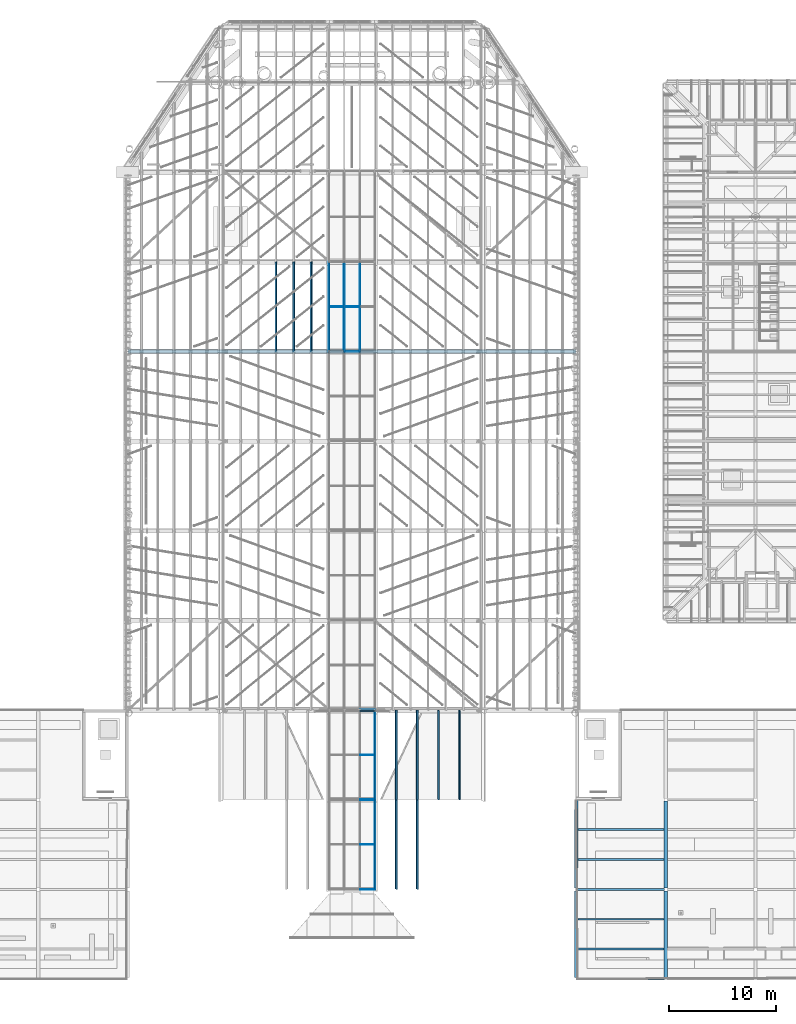
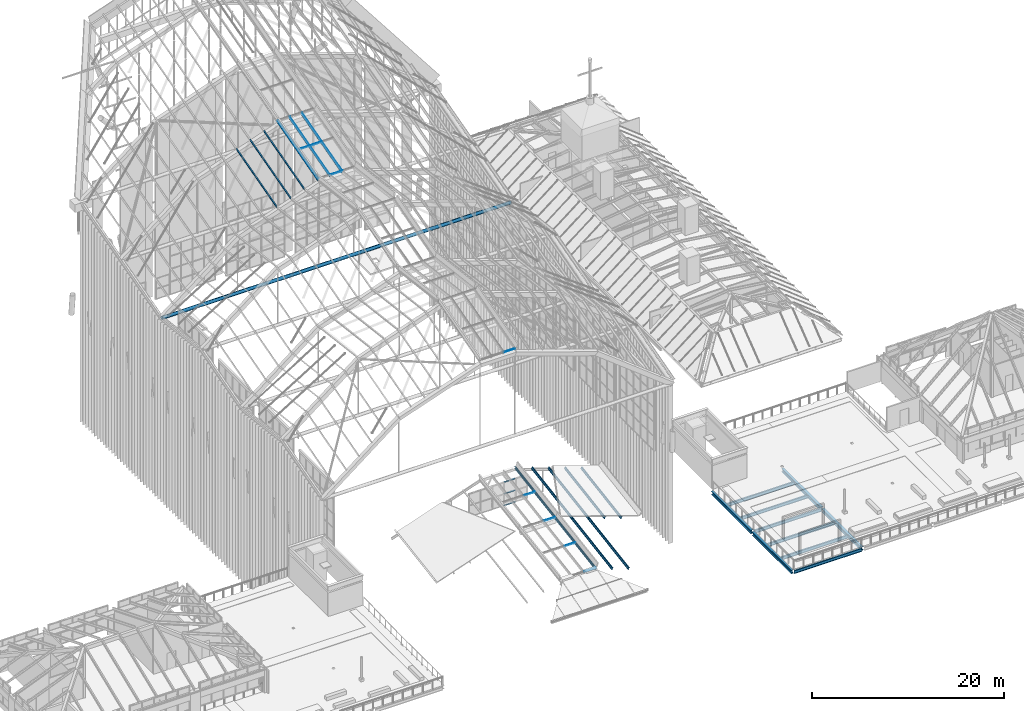
# One storey, part 30 of 126: 31 members, 10 beams, 1 element without a shape of its own.
"""IFC4 building model written with IfcOpenShell, lengths in metres."""

from ifc_helpers import new_model, si_unit, direction, frame, origin, origin_2d, place, context, subcontext, project, spatial, rectangle, hollow_circle, i_section, extrude, material, material_profile, profile_set, type_object, element, aggregate, save


model = new_model("IFC4")

# Units and contexts
model_context = context("Model", 3, precision=1e-05, world=origin(), true_north=direction((0.0, 1.0)))
body_context = subcontext(model_context, "Body", "Model", "MODEL_VIEW")
ifc_project = project(units=[si_unit("LENGTHUNIT", "METRE"), si_unit("AREAUNIT", "SQUARE_METRE"), si_unit("VOLUMEUNIT", "CUBIC_METRE"), si_unit("PLANEANGLEUNIT", "RADIAN"), si_unit("MASSUNIT", "GRAM", prefix="KILO")], contexts=[model_context])

# Site, building, storey
site_placement = place(None, origin())
site = spatial("IfcSite", under=ifc_project, at=site_placement, CompositionType="ELEMENT")
building_placement = place(site_placement, origin())
building = spatial("IfcBuilding", under=site, at=building_placement, Name="Sava Quay Ferry Terminal", CompositionType="ELEMENT")
storey_placement = place(building_placement, frame((0.0, 0.0, 15.0)))
storey = spatial("IfcBuildingStorey", under=building, at=storey_placement, Name="L03", CompositionType="ELEMENT", Elevation=15.0)

# Beams
ifc_material_1 = material(Name="Steel S355", Category="steel")
ifc_material_profile_1 = material_profile(ifc_material_1, i_section(OverallWidth=0.179931640625, OverallDepth=0.39990234375, WebThickness=0.008544921875, FlangeThickness=0.013427734375, at=origin_2d()), Name="IPE 400")
ifc_profile_set_1 = profile_set([ifc_material_profile_1], Name="Steel S355")
beam_type_1 = type_object("IfcBeamType", Name="Beam IPE 400", PredefinedType="BEAM", material=ifc_profile_set_1)
for number, where, z_axis, x_axis, name in (
    (1, (84.1298828125, 25.199951171875, -0.35009765625), (1.0, 0.0, 0.0), (0.0, 1.0, 0.0), "Beam L03"),
    (2, (84.1298828125, 33.60009765625, -0.35009765625), (1.0, 0.0, 0.0), (0.0, 1.0, 0.0), "Beam L03"),
):
    element("IfcBeam", number, at=place(storey_placement, frame(where, z_axis=z_axis, x_axis=x_axis)), inside=storey, type_object=beam_type_1, Name=name, PredefinedType="BEAM", context=body_context, shape_type="SweptSolid", body=[
        extrude(i_section(OverallWidth=0.179931640625, OverallDepth=0.39990234375, WebThickness=0.008544921875, FlangeThickness=0.013427734375, at=origin_2d()), origin(), (0.0, 0.0, 1.0), 8.14013671875),
    ])
for number, where, z_axis, x_axis, name in (
    (3, (84.14990234375, 28.0, -0.35009765625), (1.0, 0.0, 0.0), (0.0, 1.0, 0.0), "Secondary beam L03"),
    (4, (84.14990234375, 30.800048828125, -0.35009765625), (1.0, 0.0, 0.0), (0.0, 1.0, 0.0), "Secondary beam L03"),
    (5, (84.14990234375, 36.39990234375, -0.35009765625), (1.0, 0.0, 0.0), (0.0, 1.0, 0.0), "Secondary beam L03"),
    (6, (84.14990234375, 39.199951171875, -0.35009765625), (1.0, 0.0, 0.0), (0.0, 1.0, 0.0), "Secondary beam L03"),
):
    element("IfcBeam", number, at=place(storey_placement, frame(where, z_axis=z_axis, x_axis=x_axis)), inside=storey, type_object=beam_type_1, Name=name, PredefinedType="BEAM", context=body_context, shape_type="SweptSolid", body=[
        extrude(i_section(OverallWidth=0.179931640625, OverallDepth=0.39990234375, WebThickness=0.008544921875, FlangeThickness=0.013427734375, at=origin_2d()), origin(), (0.0, 0.0, 1.0), 8.10009765625),
    ])

# Member
ifc_material_2 = material(Name="Steel S355", Category="steel")
ifc_material_profile_2 = material_profile(ifc_material_2, hollow_circle(Radius=0.203125, WallThickness=0.01611328125, at=origin_2d()), Name="CHS 406.4 x 16.0")
ifc_profile_set_2 = profile_set([ifc_material_profile_2], Name="Steel S355")
member_type_1 = type_object("IfcMemberType", Name="D arch tie CHS 406.4x16", PredefinedType="USERDEFINED", material=ifc_profile_set_2)
member_1_placement = place(storey_placement, frame((42.0, 84.0, 11.029052734375), z_axis=(1.0, 0.0, 0.0), x_axis=(0.0, 1.0, 0.0)))
element("IfcMember", 7, at=member_1_placement, inside=storey, type_object=member_type_1, Name="Departure hall arch tie R4", ObjectType="ARCH TIE", PredefinedType="USERDEFINED", context=body_context, shape_type="SweptSolid", body=[
    extrude(hollow_circle(Radius=0.203125, WallThickness=0.01611328125, at=origin_2d()), origin(), (0.0, 0.0, 1.0), 42.0),
])

# Beams
ifc_material_3 = material(Name="Steel S355", Category="steel")
ifc_material_profile_3 = material_profile(ifc_material_3, i_section(OverallWidth=0.300048828125, OverallDepth=0.449951171875, WebThickness=0.013916015625, FlangeThickness=0.02587890625, at=origin_2d()), Name="HE 450 B")
ifc_profile_set_3 = profile_set([ifc_material_profile_3], Name="Steel S355")
beam_type_2 = type_object("IfcBeamType", Name="Girder HE 450 B", PredefinedType="BEAM", material=ifc_profile_set_3)
beam_1_placement = place(storey_placement, frame((84.0, 25.330078125, -0.375), z_axis=(0.0, 1.0, 0.0), x_axis=(-1.0, 0.0, 0.0)))
element("IfcBeam", 8, at=beam_1_placement, inside=storey, type_object=beam_type_2, Name="Girder L03", PredefinedType="BEAM", context=body_context, shape_type="SweptSolid", body=[
    extrude(i_section(OverallWidth=0.300048828125, OverallDepth=0.449951171875, WebThickness=0.013916015625, FlangeThickness=0.02587890625, at=origin_2d()), origin(), (0.0, 0.0, 1.0), 8.139892578125),
])
beam_2_placement = place(storey_placement, frame((84.0, 33.72998046875, -0.375), z_axis=(0.0, 1.0, 0.0), x_axis=(-1.0, 0.0, 0.0)))
element("IfcBeam", 9, at=beam_2_placement, inside=storey, type_object=beam_type_2, Name="Girder L03", PredefinedType="BEAM", context=body_context, shape_type="SweptSolid", body=[
    extrude(i_section(OverallWidth=0.300048828125, OverallDepth=0.449951171875, WebThickness=0.013916015625, FlangeThickness=0.02587890625, at=origin_2d()), origin(), (0.0, 0.0, 1.0), 8.27001953125),
])
beam_3_placement = place(storey_placement, frame((92.39990234375, 25.330078125, -0.375), z_axis=(0.0, 1.0, 0.0), x_axis=(-1.0, 0.0, 0.0)))
element("IfcBeam", 10, at=beam_3_placement, inside=storey, type_object=beam_type_2, Name="Girder L03", PredefinedType="BEAM", context=body_context, shape_type="SweptSolid", body=[
    extrude(i_section(OverallWidth=0.300048828125, OverallDepth=0.449951171875, WebThickness=0.013916015625, FlangeThickness=0.02587890625, at=origin_2d()), origin(), (0.0, 0.0, 1.0), 8.139892578125),
])
beam_4_placement = place(storey_placement, frame((92.39990234375, 33.72998046875, -0.375), z_axis=(0.0, 1.0, 0.0), x_axis=(-1.0, 0.0, 0.0)))
element("IfcBeam", 11, at=beam_4_placement, inside=storey, type_object=beam_type_2, Name="Girder L03", PredefinedType="BEAM", context=body_context, shape_type="SweptSolid", body=[
    extrude(i_section(OverallWidth=0.300048828125, OverallDepth=0.449951171875, WebThickness=0.013916015625, FlangeThickness=0.02587890625, at=origin_2d()), origin(), (0.0, 0.0, 1.0), 8.14013671875),
])

# Members
ifc_material_4 = material(Name="Aluminium EN AW-6063 T6", Category="aluminium")
ifc_material_profile_4 = material_profile(ifc_material_4, rectangle(XDim=0.06005859375, YDim=0.06005859375, at=origin_2d()), Name="Bar 60 x 60")
ifc_profile_set_4 = profile_set([ifc_material_profile_4], Name="Aluminium EN AW-6063 T6")
member_type_2 = type_object("IfcMemberType", Name="Glazing bar 60x60", PredefinedType="USERDEFINED", material=ifc_profile_set_4)
for number, where, z_axis, x_axis, name in (
    (12, (60.85302734375, 84.0, 22.148193359375), (0.0, 0.964553254836, 0.263888269132), (-1.0, 0.0, 0.0), "Departure hall glazing bar D-B4-GL2.0"),
    (13, (62.267578125, 84.0, 22.148193359375), (0.0, 0.964553254836, 0.263888269132), (-1.0, 0.0, 0.0), "Departure hall glazing bar D-B4-GL2.1"),
    (14, (63.732421875, 84.0, 22.148193359375), (0.0, 0.964553254836, 0.263888269132), (-1.0, 0.0, 0.0), "Departure hall glazing bar D-B4-GL2.2"),
):
    element("IfcMember", number, at=place(storey_placement, frame(where, z_axis=z_axis, x_axis=x_axis)), inside=storey, type_object=member_type_2, Name=name, ObjectType="GLAZING BAR", PredefinedType="USERDEFINED", context=body_context, shape_type="SweptSolid", body=[
        extrude(rectangle(XDim=0.06005859375, YDim=0.06005859375, at=origin_2d()), origin(), (0.0, 0.0, 1.0), 8.70849609375),
    ])
member_2_placement = place(storey_placement, frame((63.76318359375, 50.39990234375, 19.442138671875), z_axis=(1.0, 0.0, 0.0), x_axis=(0.0, 0.962815070048, 0.270161323822)))
element("IfcMember", 15, at=member_2_placement, inside=storey, type_object=member_type_2, Name="Departure hall glazing bar D-R0-GT2.2", ObjectType="GLAZING BAR", PredefinedType="USERDEFINED", context=body_context, shape_type="SweptSolid", body=[
    extrude(rectangle(XDim=0.06005859375, YDim=0.06005859375, at=origin_2d()), origin(), (0.0, 0.0, 1.0), 1.35595703125),
])
member_3_placement = place(storey_placement, frame((62.296630859375, 84.0, 22.1279296875), z_axis=(1.0, 0.0, 0.0), x_axis=(0.0, 0.964556832817, 0.263875190699)))
element("IfcMember", 16, at=member_3_placement, inside=storey, type_object=member_type_2, Name="Departure hall glazing bar D-R4-GT2.1", ObjectType="GLAZING BAR", PredefinedType="USERDEFINED", context=body_context, shape_type="SweptSolid", body=[
    extrude(rectangle(XDim=0.06005859375, YDim=0.06005859375, at=origin_2d()), origin(), (0.0, 0.0, 1.0), 1.40673828125),
])
member_4_placement = place(storey_placement, frame((60.883056640625, 88.199951171875, 23.29736328125), z_axis=(1.0, 0.0, 0.0), x_axis=(0.0, 0.964556832817, 0.263875190699)))
element("IfcMember", 17, at=member_4_placement, inside=storey, type_object=member_type_2, Name="Departure hall glazing bar D-B4M-GT2.0", ObjectType="GLAZING BAR", PredefinedType="USERDEFINED", context=body_context, shape_type="SweptSolid", body=[
    extrude(rectangle(XDim=0.06005859375, YDim=0.06005859375, at=origin_2d()), origin(), (0.0, 0.0, 1.0), 1.3544921875),
])
member_5_placement = place(storey_placement, frame((62.297607421875, 88.199951171875, 23.29736328125), z_axis=(1.0, 0.0, 0.0), x_axis=(0.0, 0.964556832817, 0.263875190699)))
element("IfcMember", 18, at=member_5_placement, inside=storey, type_object=member_type_2, Name="Departure hall glazing bar D-B4M-GT2.1", ObjectType="GLAZING BAR", PredefinedType="USERDEFINED", context=body_context, shape_type="SweptSolid", body=[
    extrude(rectangle(XDim=0.06005859375, YDim=0.06005859375, at=origin_2d()), origin(), (0.0, 0.0, 1.0), 1.40478515625),
])
member_6_placement = place(storey_placement, frame((65.137451171875, 33.60009765625, 1.735595703125), z_axis=(0.0, 0.987346262472, 0.158579185212), x_axis=(-1.0, 0.0, 0.0)))
element("IfcMember", 19, at=member_6_placement, inside=storey, type_object=member_type_2, Name="Arrivals hall glazing bar A-B0-GL2.3", ObjectType="GLAZING BAR", PredefinedType="USERDEFINED", context=body_context, shape_type="SweptSolid", body=[
    extrude(rectangle(XDim=0.06005859375, YDim=0.06005859375, at=origin_2d()), origin(), (0.0, 0.0, 1.0), 8.507568359375),
])
member_7_placement = place(storey_placement, frame((65.137451171875, 42.0, 3.084716796875), z_axis=(0.0, 0.987368718827, 0.158439304094), x_axis=(-1.0, 0.0, 0.0)))
element("IfcMember", 20, at=member_7_placement, inside=storey, type_object=member_type_2, Name="Arrivals hall glazing bar A-B1-GL2.3", ObjectType="GLAZING BAR", PredefinedType="USERDEFINED", context=body_context, shape_type="SweptSolid", body=[
    extrude(rectangle(XDim=0.06005859375, YDim=0.06005859375, at=origin_2d()), origin(), (0.0, 0.0, 1.0), 8.50732421875),
])
for number, where, z_axis, x_axis, name in (
    (21, (63.759033203125, 33.60009765625, 1.735595703125), (1.0, 0.0, 0.0), (0.0, 0.987348779589, 0.158563512333), "Arrivals hall glazing bar A-R0-GT2.2"),
    (22, (63.759033203125, 42.0, 3.084716796875), (1.0, 0.0, 0.0), (0.0, 0.987367175287, 0.158448922895), "Arrivals hall glazing bar A-R1-GT2.2"),
    (23, (63.759033203125, 37.800048828125, 2.41015625), (1.0, 0.0, 0.0), (0.0, 0.987348779589, 0.158563512333), "Arrivals hall glazing bar A-B0M-GT2.2"),
    (24, (63.759033203125, 46.199951171875, 3.7587890625), (1.0, 0.0, 0.0), (0.0, 0.987367175287, 0.158448922895), "Arrivals hall glazing bar A-B1M-GT2.2"),
):
    element("IfcMember", number, at=place(storey_placement, frame(where, z_axis=z_axis, x_axis=x_axis)), inside=storey, type_object=member_type_2, Name=name, ObjectType="GLAZING BAR", PredefinedType="USERDEFINED", context=body_context, shape_type="SweptSolid", body=[
        extrude(rectangle(XDim=0.06005859375, YDim=0.06005859375, at=origin_2d()), origin(), (0.0, 0.0, 1.0), 1.348388671875),
    ])
ifc_material_5 = material(Name="Steel S355", Category="steel")
ifc_material_profile_5 = material_profile(ifc_material_5, i_section(OverallWidth=0.135009765625, OverallDepth=0.27001953125, WebThickness=0.006591796875, FlangeThickness=0.01025390625, at=origin_2d()), Name="IPE 270")
ifc_profile_set_5 = profile_set([ifc_material_profile_5], Name="Steel S355")
member_type_3 = type_object("IfcMemberType", Name="Roof purlin IPE 270", PredefinedType="PURLIN", material=ifc_profile_set_5)
for number, where, z_axis, x_axis, name in (
    (25, (55.87744140625, 84.0, 20.27197265625), (0.0, 0.964553254836, 0.263888269132), (-0.949027169883, 0.0831760716, -0.3040216636), "Departure hall purlin bay 5 M1.3"),
    (26, (57.528076171875, 84.0, 20.84033203125), (0.0, 0.964553254836, 0.263888269132), (-0.949027169883, 0.0831760716, -0.3040216636), "Departure hall purlin bay 5 M1.4"),
    (27, (59.178955078125, 84.0, 21.40869140625), (0.0, 0.964553254836, 0.263888269132), (-0.949027169883, 0.0831760716, -0.3040216636), "Departure hall purlin bay 5 M1.5"),
    (28, (60.82958984375, 84.0, 21.977294921875), (0.0, 0.964560390264, 0.263862186629), (-0.987174546341, 0.042124187079, -0.153986908271), "Departure hall purlin bay 5 V2"),
    (29, (62.276611328125, 84.0, 21.977294921875), (0.0, 0.964560390264, 0.263862186629), (-1.0, 0.0, 0.0), "Departure hall purlin bay 5 M2.1"),
    (30, (63.723388671875, 84.0, 21.977294921875), (0.0, 0.964560390264, 0.263862186629), (-1.0, 0.0, 0.0), "Departure hall purlin bay 5 M2.2"),
):
    element("IfcMember", number, at=place(storey_placement, frame(where, z_axis=z_axis, x_axis=x_axis)), inside=storey, type_object=member_type_3, Name=name, PredefinedType="PURLIN", context=body_context, shape_type="SweptSolid", body=[
        extrude(i_section(OverallWidth=0.135009765625, OverallDepth=0.27001953125, WebThickness=0.006591796875, FlangeThickness=0.01025390625, at=origin_2d()), origin(), (0.0, 0.0, 1.0), 8.70849609375),
    ])
for number, where, z_axis, x_axis, name in (
    (31, (65.16015625, 33.60009765625, 1.568603515625), (0.0, 0.987350755247, 0.158551209752), (-0.986605539958, -0.025863541144, 0.161060813866), "Arrivals hall purlin bay 1 V3"),
    (32, (67.136962890625, 33.60009765625, 0.887939453125), (0.0, 0.987350755247, 0.158551209752), (-0.946780982947, -0.051034225954, 0.317806982477), "Arrivals hall purlin bay 1 M3.1"),
    (33, (69.11376953125, 33.60009765625, 0.207275390625), (0.0, 0.987350755247, 0.158551209752), (-0.946780982947, -0.051034225954, 0.317806982477), "Arrivals hall purlin bay 1 M3.2"),
):
    element("IfcMember", number, at=place(storey_placement, frame(where, z_axis=z_axis, x_axis=x_axis)), inside=storey, type_object=member_type_3, Name=name, PredefinedType="PURLIN", context=body_context, shape_type="SweptSolid", body=[
        extrude(i_section(OverallWidth=0.135009765625, OverallDepth=0.27001953125, WebThickness=0.006591796875, FlangeThickness=0.01025390625, at=origin_2d()), origin(), (0.0, 0.0, 1.0), 8.507568359375),
    ])
for number, where, z_axis, x_axis, name in (
    (34, (65.16015625, 42.0, 2.91748046875), (0.0, 0.98736422906, 0.158467281081), (-0.986605076852, -0.025850294201, 0.161065777305), "Arrivals hall purlin bay 2 V3"),
    (35, (67.136962890625, 42.0, 2.23681640625), (0.0, 0.98736422906, 0.158467281081), (-0.946779147241, -0.05100806677, 0.31781665072), "Arrivals hall purlin bay 2 M3.1"),
    (36, (69.11376953125, 42.0, 1.55615234375), (0.0, 0.98736422906, 0.158467281081), (-0.946779155347, -0.051008062991, 0.317816627176), "Arrivals hall purlin bay 2 M3.2"),
    (37, (71.090576171875, 42.0, 0.87548828125), (0.0, 0.98736422906, 0.158467281081), (-0.946779155347, -0.051008062991, 0.317816627176), "Arrivals hall purlin bay 2 M3.3"),
    (38, (73.0673828125, 42.0, 0.19482421875), (0.0, 0.98736422906, 0.158467281081), (-0.946779155347, -0.051008062991, 0.317816627176), "Arrivals hall purlin bay 2 M3.4"),
):
    element("IfcMember", number, at=place(storey_placement, frame(where, z_axis=z_axis, x_axis=x_axis)), inside=storey, type_object=member_type_3, Name=name, PredefinedType="PURLIN", context=body_context, shape_type="SweptSolid", body=[
        extrude(i_section(OverallWidth=0.135009765625, OverallDepth=0.27001953125, WebThickness=0.006591796875, FlangeThickness=0.01025390625, at=origin_2d()), origin(), (0.0, 0.0, 1.0), 8.50732421875),
    ])

# Curtain wall, members
ifc_material_6 = material(Name="Aluminium and glass curtain wall, double low-e glazed", Category="aluminium")
curtain_wall_type = type_object("IfcCurtainWallType", Name="Curtain wall CW-G gable", PredefinedType="NOTDEFINED", material=ifc_material_6)
curtain_wall_placement = place(storey_placement, origin())
curtain_wall = element("IfcCurtainWall", 39, at=curtain_wall_placement, inside=storey, type_object=curtain_wall_type, Name="Curtain wall D-S L03 bay 31", PredefinedType="NOTDEFINED")
ifc_material_7 = material(Name="Aluminium EN AW-6063 T6", Category="aluminium")
ifc_material_profile_6 = material_profile(ifc_material_7, rectangle(XDim=0.1201171875, YDim=0.050048828125, at=origin_2d()), Name="Transom 50x120 aluminium")
ifc_profile_set_6 = profile_set([ifc_material_profile_6], Name="Aluminium EN AW-6063 T6")
member_type_4 = type_object("IfcMemberType", Name="Transom 50x120 aluminium", PredefinedType="USERDEFINED", material=ifc_profile_set_6)
member_8_placement = place(storey_placement, frame((63.736083984375, 50.31494140625, 0.02490234375), z_axis=(1.0, 0.0, 0.0), x_axis=(0.0, 1.0, 0.0)))
member_8 = element("IfcMember", 40, at=member_8_placement, type_object=member_type_4, Name="CW92 transom 4.1", ObjectType="TRANSOM", PredefinedType="USERDEFINED", context=body_context, shape_type="SweptSolid", body=[
    extrude(rectangle(XDim=0.1201171875, YDim=0.050048828125, at=origin_2d()), origin(), (0.0, 0.0, 1.0), 1.351806640625),
])
member_9_placement = place(storey_placement, frame((63.736083984375, 50.31494140625, 1.5), z_axis=(1.0, 0.0, 0.0), x_axis=(0.0, 1.0, 0.0)))
member_9 = element("IfcMember", 41, at=member_9_placement, type_object=member_type_4, Name="CW92 transom 4.2", ObjectType="TRANSOM", PredefinedType="USERDEFINED", context=body_context, shape_type="SweptSolid", body=[
    extrude(rectangle(XDim=0.1201171875, YDim=0.050048828125, at=origin_2d()), origin(), (0.0, 0.0, 1.0), 1.351806640625),
])
member_10_placement = place(storey_placement, frame((63.736083984375, 50.31494140625, 2.97509765625), z_axis=(1.0, 0.0, 0.0), x_axis=(0.0, 1.0, 0.0)))
member_10 = element("IfcMember", 42, at=member_10_placement, type_object=member_type_4, Name="CW92 transom 4.3", ObjectType="TRANSOM", PredefinedType="USERDEFINED", context=body_context, shape_type="SweptSolid", body=[
    extrude(rectangle(XDim=0.1201171875, YDim=0.050048828125, at=origin_2d()), origin(), (0.0, 0.0, 1.0), 1.351806640625),
])
aggregate(curtain_wall, [member_8, member_9, member_10])

save(model, "model.ifc")
